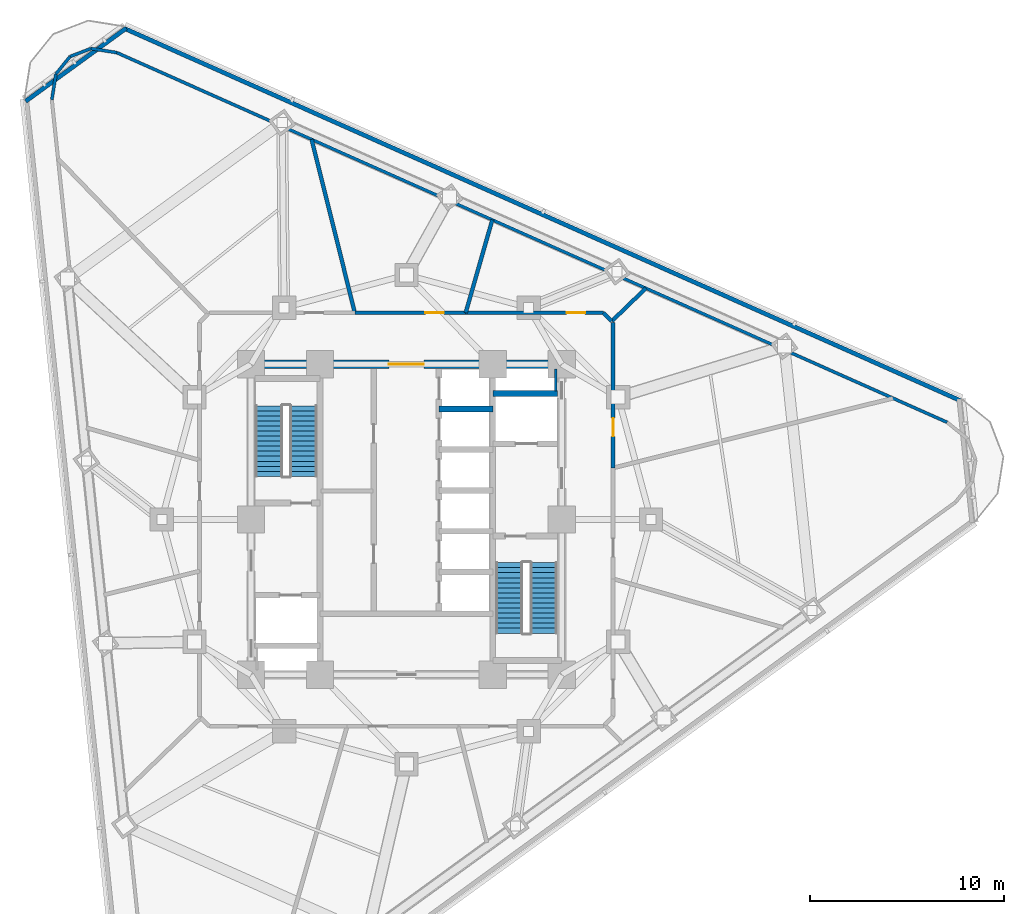
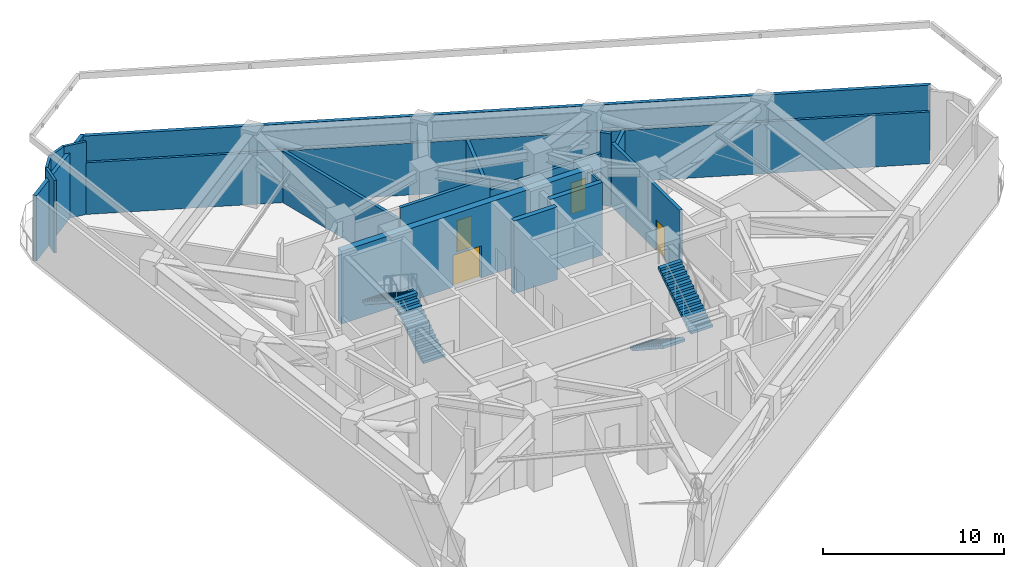
# One storey, part 5 of 10: 18 walls, 4 doors, 4 stair flights, 4 openings, 2 elements without a shape of their own.
"""IFC4 building model written with IfcOpenShell, lengths in metres."""

from ifc_helpers import new_model, si_unit, direction, frame, frame_2d, origin, place, context, subcontext, project, spatial, polyline, rectangle, outline, extrude, material, layer, layer_set, type_object, element, fill, aggregate, save


model = new_model("IFC4")

# Units and contexts
model_context = context("Model", 3, precision=1e-05, world=origin(), true_north=direction((0.0, 1.0)))
body_context = subcontext(model_context, "Body", "Model", "MODEL_VIEW")
ifc_project = project(units=[si_unit("LENGTHUNIT", "METRE"), si_unit("AREAUNIT", "SQUARE_METRE"), si_unit("VOLUMEUNIT", "CUBIC_METRE"), si_unit("PLANEANGLEUNIT", "RADIAN"), si_unit("MASSUNIT", "GRAM", prefix="KILO")], contexts=[model_context])

# Site, building, storey
site_placement = place(None, origin())
site = spatial("IfcSite", under=ifc_project, at=site_placement, CompositionType="ELEMENT")
building_placement = place(site_placement, origin())
building = spatial("IfcBuilding", under=site, at=building_placement, Name="Terralouvre Media Tower", CompositionType="ELEMENT")
storey_placement = place(building_placement, frame((0.0, 0.0, 149.5)))
storey = spatial("IfcBuildingStorey", under=building, at=storey_placement, Name="L38", CompositionType="ELEMENT", Elevation=149.5)

# Walls
ifc_material_1 = material(Name="Concrete C50/60", Category="concrete")
ifc_layer_1 = layer(ifc_material_1, 0.300048828125, Name="Core Internal Shaft Wall CW-300")
ifc_layer_set_1 = layer_set([ifc_layer_1], Name="Concrete C50/60")
wall_type_1 = type_object("IfcWallType", Name="Core Internal Shaft Wall CW-300", PredefinedType="SHEAR", material=ifc_layer_set_1)
wall_1_placement = place(storey_placement, frame((4.449951171875, 6.5, 0.0), z_axis=(0.0, 0.0, 1.0), x_axis=(1.0, 0.0, 0.0)))
element("IfcWall", 1, at=wall_1_placement, inside=storey, type_object=wall_type_1, Name="L38 Core Shaft Wall FF2N", PredefinedType="SHEAR", context=body_context, shape_type="SweptSolid", body=[
    extrude(rectangle(XDim=3.340087890625, YDim=0.300048828125, at=frame_2d((1.669921875, 0.0))), origin(), (0.0, 0.0, 1.0), 4.89990234375),
])
wall_2_placement = place(storey_placement, frame((1.679931640625, 5.699951171875, 0.0), z_axis=(0.0, 0.0, 1.0), x_axis=(1.0, 0.0, 0.0)))
element("IfcWall", 2, at=wall_2_placement, inside=storey, type_object=wall_type_1, Name="L38 Core Shaft Wall PLMD2", PredefinedType="SHEAR", context=body_context, shape_type="SweptSolid", body=[
    extrude(rectangle(XDim=2.77001953125, YDim=0.300048828125, at=frame_2d((1.385009765625, 0.0))), origin(), (0.0, 0.0, 1.0), 4.89990234375),
])

# Wall, opening, door
ifc_material_2 = material(Name="Concrete C60/75", Category="concrete")
ifc_layer_2 = layer(ifc_material_2, 0.419921875, Name="Core Reinforced Concrete Shear Wall CW-420")
ifc_layer_set_2 = layer_set([ifc_layer_2], Name="Concrete C60/75")
wall_type_2 = type_object("IfcWallType", Name="Core Reinforced Concrete Shear Wall CW-420", PredefinedType="SHEAR", material=ifc_layer_set_2)
wall_3_placement = place(storey_placement, frame((-8.0, 8.0, 0.0), z_axis=(0.0, 0.0, 1.0), x_axis=(1.0, 0.0, 0.0)))
wall_3 = element("IfcWall", 3, at=wall_3_placement, inside=storey, type_object=wall_type_2, Name="L38 N Core Shear Wall", PredefinedType="SHEAR", context=body_context, shape_type="SweptSolid", body=[
    extrude(rectangle(XDim=16.0, YDim=0.419921875, at=frame_2d((8.0, 0.0))), origin(), (0.0, 0.0, 1.0), 4.89990234375),
])
opening_1_placement = place(wall_3_placement, frame((7.10009765625, 0.0, 0.0)))
opening_1 = element("IfcOpeningElement", 4, at=opening_1_placement, cuts=wall_3, Name="Opening FD-03", PredefinedType="OPENING", context=body_context, shape_type="SweptSolid", body=[
    extrude(rectangle(XDim=1.800048828125, YDim=2.14990234375, at=frame_2d((0.89990234375, 1.074951171875))), frame((0.0, 0.219970703125, 0.0), z_axis=(0.0, -1.0, 0.0), x_axis=(1.0, 0.0, 0.0)), (0.0, 0.0, 1.0), 0.43994140625),
])
ifc_material_3 = material(Name="Galvanised steel fire-resisting leaf", Category="steel")
door_type_1 = type_object("IfcDoorType", Name="Corridor Smoke-Control Double Door FD-03", OperationType="DOUBLE_DOOR_SINGLE_SWING", PredefinedType="DOOR", material=ifc_material_3)
door_1_placement = place(opening_1_placement, origin())
door_1 = element("IfcDoor", 5, at=door_1_placement, inside=storey, type_object=door_type_1, Name="L38 Central Lift Lobby Portal Door", OperationType="DOUBLE_DOOR_SINGLE_SWING", OverallHeight=2.14990234375, OverallWidth=1.800048828125, PredefinedType="DOOR", context=body_context, shape_type="SweptSolid", body=[
    extrude(rectangle(XDim=1.800048828125, YDim=2.14990234375, at=frame_2d((0.89990234375, 1.074951171875))), frame((0.0, 0.02490234375, 0.0), z_axis=(0.0, -1.0, 0.0), x_axis=(1.0, 0.0, 0.0)), (0.0, 0.0, 1.0), 0.050048828125),
])
fill(opening_1, door_1)

# Walls
ifc_material_4 = material(Name="Fire-rated gypsum board drywall partition")
ifc_layer_3 = layer(ifc_material_4, 0.199951171875, Name="Fire-Rated Shaft and Lobby Partition FW-200")
ifc_layer_set_3 = layer_set([ifc_layer_3], Name="Fire-rated gypsum board drywall partition")
wall_type_3 = type_object("IfcWallType", Name="Fire-Rated Shaft and Lobby Partition FW-200", PredefinedType="SOLIDWALL", material=ifc_layer_set_3)
wall_4_placement = place(storey_placement, frame((-18.265625, 21.622314453125, 0.0), z_axis=(0.0, 0.0, 1.0), x_axis=(0.156343984174, 0.987702667108, 0.0)))
element("IfcWall", 6, at=wall_4_placement, inside=storey, type_object=wall_type_3, Name="L38 Belt-Truss Acoustic Plenum Liner Wall 02", PredefinedType="SOLIDWALL", context=body_context, shape_type="SweptSolid", body=[
    extrude(rectangle(XDim=1.34765625, YDim=0.159912109375, at=frame_2d((0.673828125, 0.0))), origin(), (0.0, 0.0, 1.0), 4.89990234375),
])
wall_5_placement = place(storey_placement, frame((-18.054931640625, 22.953369140625, 0.0), z_axis=(0.0, 0.0, 1.0), x_axis=(0.629325969448, 0.777141444126, 0.0)))
element("IfcWall", 7, at=wall_5_placement, inside=storey, type_object=wall_type_3, Name="L38 Belt-Truss Acoustic Plenum Liner Wall 03", PredefinedType="SOLIDWALL", context=body_context, shape_type="SweptSolid", body=[
    extrude(rectangle(XDim=1.154541015625, YDim=0.159912109375, at=frame_2d((0.5771484375, 0.0))), origin(), (0.0, 0.0, 1.0), 4.89990234375),
])
wall_6_placement = place(storey_placement, frame((-17.328369140625, 23.8505859375, 0.0), z_axis=(0.0, 0.0, 1.0), x_axis=(0.93360702064, 0.35829866175, 0.0)))
element("IfcWall", 8, at=wall_6_placement, inside=storey, type_object=wall_type_3, Name="L38 Belt-Truss Acoustic Plenum Liner Wall 04", PredefinedType="SOLIDWALL", context=body_context, shape_type="SweptSolid", body=[
    extrude(rectangle(XDim=1.154296875, YDim=0.159912109375, at=frame_2d((0.5771484375, 0.0))), origin(), (0.0, 0.0, 1.0), 4.89990234375),
])
wall_7_placement = place(storey_placement, frame((-16.250732421875, 24.26416015625, 0.0), z_axis=(0.0, 0.0, 1.0), x_axis=(0.987679113551, -0.156492711188, 0.0)))
element("IfcWall", 9, at=wall_7_placement, inside=storey, type_object=wall_type_3, Name="L38 Belt-Truss Acoustic Plenum Liner Wall 05", PredefinedType="SOLIDWALL", context=body_context, shape_type="SweptSolid", body=[
    extrude(rectangle(XDim=1.347900390625, YDim=0.159912109375, at=frame_2d((0.673828125, 0.0))), origin(), (0.0, 0.0, 1.0), 4.89990234375),
])
wall_8_placement = place(storey_placement, frame((-14.91943359375, 24.05322265625, 0.0), z_axis=(0.0, 0.0, 1.0), x_axis=(0.913544749662, -0.406738233223, 0.0)))
element("IfcWall", 10, at=wall_8_placement, inside=storey, type_object=wall_type_3, Name="L38 Belt-Truss Acoustic Plenum Liner Wall 06", PredefinedType="SOLIDWALL", context=body_context, shape_type="SweptSolid", body=[
    extrude(rectangle(XDim=46.825927734375, YDim=0.159912109375, at=frame_2d((23.4130859375, 0.0))), origin(), (0.0, 0.0, 1.0), 3.485107421875),
])

# Wall, opening, door
wall_9_placement = place(storey_placement, frame((10.64990234375, 2.655029296875, 0.0), z_axis=(0.0, 0.0, 1.0), x_axis=(0.0, 1.0, 0.0)))
wall_9 = element("IfcWall", 11, at=wall_9_placement, inside=storey, type_object=wall_type_3, Name="L38 Interior Partition 009", PredefinedType="SOLIDWALL", context=body_context, shape_type="SweptSolid", body=[
    extrude(rectangle(XDim=7.494873046875, YDim=0.199951171875, at=frame_2d((3.74755859375, 0.0))), origin(), (0.0, 0.0, 1.0), 4.284912109375),
])
opening_2_placement = place(wall_9_placement, frame((1.62353515625, 0.0, 0.0)))
opening_2 = element("IfcOpeningElement", 12, at=opening_2_placement, cuts=wall_9, Name="Opening FD-02-95X210", PredefinedType="OPENING", context=body_context, shape_type="SweptSolid", body=[
    extrude(rectangle(XDim=0.949951171875, YDim=2.10009765625, at=frame_2d((0.47509765625, 1.050048828125))), frame((0.0, 0.10986328125, 0.0), z_axis=(0.0, -1.0, 0.0), x_axis=(1.0, 0.0, 0.0)), (0.0, 0.0, 1.0), 0.219970703125),
])
ifc_material_5 = material(Name="Galvanised steel fire-resisting leaf", Category="steel")
door_type_2 = type_object("IfcDoorType", Name="Plant and Riser Fire Door FD-02 (950x2100)", OperationType="NOTDEFINED", PredefinedType="DOOR", material=ifc_material_5)
door_2_placement = place(opening_2_placement, origin())
door_2 = element("IfcDoor", 13, at=door_2_placement, inside=storey, type_object=door_type_2, Name="L38 Designated Pressurised Refuge Holding Area East Door", OperationType="SINGLE_SWING_RIGHT", OverallHeight=2.10009765625, OverallWidth=0.949951171875, PredefinedType="DOOR", context=body_context, shape_type="SweptSolid", body=[
    extrude(rectangle(XDim=0.949951171875, YDim=2.10009765625, at=frame_2d((0.47509765625, 1.050048828125))), frame((0.0, 0.02490234375, 0.0), z_axis=(0.0, -1.0, 0.0), x_axis=(1.0, 0.0, 0.0)), (0.0, 0.0, 1.0), 0.050048828125),
])
fill(opening_2, door_2)

# Wall
wall_10_placement = place(storey_placement, frame((10.58203125, 10.218017578125, 0.0), z_axis=(0.0, 0.0, 1.0), x_axis=(-0.70730655707, 0.706906948845, 0.0)))
element("IfcWall", 14, at=wall_10_placement, inside=storey, type_object=wall_type_3, Name="L38 Interior Partition 010", PredefinedType="SOLIDWALL", context=body_context, shape_type="SweptSolid", body=[
    extrude(rectangle(XDim=0.61083984375, YDim=0.199951171875, at=frame_2d((0.305419921875, 0.0))), origin(), (0.0, 0.0, 1.0), 4.89990234375),
])

# Wall, opening, door
wall_11_placement = place(storey_placement, frame((10.14990234375, 10.64990234375, 0.0), z_axis=(0.0, 0.0, 1.0), x_axis=(-1.0, 0.0, 0.0)))
wall_11 = element("IfcWall", 15, at=wall_11_placement, inside=storey, type_object=wall_type_3, Name="L38 Interior Partition 011", PredefinedType="SOLIDWALL", context=body_context, shape_type="SweptSolid", body=[
    extrude(rectangle(XDim=7.095947265625, YDim=0.199951171875, at=frame_2d((3.5478515625, 0.0))), origin(), (0.0, 0.0, 1.0), 3.485107421875),
])
opening_3_placement = place(wall_11_placement, frame((0.944091796875, 0.0, 0.0)))
opening_3 = element("IfcOpeningElement", 16, at=opening_3_placement, cuts=wall_11, Name="Opening FD-02-95X210", PredefinedType="OPENING", context=body_context, shape_type="SweptSolid", body=[
    extrude(rectangle(XDim=0.949951171875, YDim=2.10009765625, at=frame_2d((0.47509765625, 1.050048828125))), frame((0.0, 0.10986328125, 0.0), z_axis=(0.0, -1.0, 0.0), x_axis=(1.0, 0.0, 0.0)), (0.0, 0.0, 1.0), 0.219970703125),
])
door_3_placement = place(opening_3_placement, origin())
door_3 = element("IfcDoor", 17, at=door_3_placement, inside=storey, type_object=door_type_2, Name="L38 Sprinkler Reserve Tank and Pump Plant Room Door", OperationType="SINGLE_SWING_LEFT", OverallHeight=2.10009765625, OverallWidth=0.949951171875, PredefinedType="DOOR", context=body_context, shape_type="SweptSolid", body=[
    extrude(rectangle(XDim=0.949951171875, YDim=2.10009765625, at=frame_2d((0.47509765625, 1.050048828125))), frame((0.0, 0.02490234375, 0.0), z_axis=(0.0, -1.0, 0.0), x_axis=(1.0, 0.0, 0.0)), (0.0, 0.0, 1.0), 0.050048828125),
])
fill(opening_3, door_3)

wall_12_placement = place(storey_placement, frame((3.053955078125, 10.64990234375, 0.0), z_axis=(0.0, 0.0, 1.0), x_axis=(-1.0, 0.0, 0.0)))
wall_12 = element("IfcWall", 18, at=wall_12_placement, inside=storey, type_object=wall_type_3, Name="L38 Interior Partition 012", PredefinedType="SOLIDWALL", context=body_context, shape_type="SweptSolid", body=[
    extrude(rectangle(XDim=5.708984375, YDim=0.199951171875, at=frame_2d((2.8544921875, 0.0))), origin(), (0.0, 0.0, 1.0), 4.284912109375),
])
opening_4_placement = place(wall_12_placement, frame((1.12353515625, 0.0, 0.0)))
opening_4 = element("IfcOpeningElement", 19, at=opening_4_placement, cuts=wall_12, Name="Opening FD-02-95X210", PredefinedType="OPENING", context=body_context, shape_type="SweptSolid", body=[
    extrude(rectangle(XDim=0.949951171875, YDim=2.10009765625, at=frame_2d((0.47509765625, 1.050048828125))), frame((0.0, 0.10986328125, 0.0), z_axis=(0.0, -1.0, 0.0), x_axis=(1.0, 0.0, 0.0)), (0.0, 0.0, 1.0), 0.219970703125),
])
door_4_placement = place(opening_4_placement, origin())
door_4 = element("IfcDoor", 20, at=door_4_placement, inside=storey, type_object=door_type_2, Name="L38 BMS and Telecom Mechanical Control Plant Room Door", OperationType="SINGLE_SWING_RIGHT", OverallHeight=2.10009765625, OverallWidth=0.949951171875, PredefinedType="DOOR", context=body_context, shape_type="SweptSolid", body=[
    extrude(rectangle(XDim=0.949951171875, YDim=2.10009765625, at=frame_2d((0.47509765625, 1.050048828125))), frame((0.0, 0.02490234375, 0.0), z_axis=(0.0, -1.0, 0.0), x_axis=(1.0, 0.0, 0.0)), (0.0, 0.0, 1.0), 0.050048828125),
])
fill(opening_4, door_4)

# Walls
wall_13_placement = place(storey_placement, frame((12.340087890625, 11.9169921875, 0.0), z_axis=(0.0, 0.0, 1.0), x_axis=(-0.719086507416, -0.694920567297, 0.0)))
element("IfcWall", 21, at=wall_13_placement, inside=storey, type_object=wall_type_3, Name="L38 Interior Partition 024", PredefinedType="SOLIDWALL", context=body_context, shape_type="SweptSolid", body=[
    extrude(rectangle(XDim=2.44482421875, YDim=0.199951171875, at=frame_2d((1.222412109375, 0.0))), origin(), (0.0, 0.0, 1.0), 3.485107421875),
])
wall_14_placement = place(storey_placement, frame((4.427001953125, 15.43994140625, 0.0), z_axis=(0.0, 0.0, 1.0), x_axis=(-0.275549323133, -0.961286934542, 0.0)))
element("IfcWall", 22, at=wall_14_placement, inside=storey, type_object=wall_type_3, Name="L38 Interior Partition 025", PredefinedType="SOLIDWALL", context=body_context, shape_type="SweptSolid", body=[
    extrude(rectangle(XDim=4.98291015625, YDim=0.199951171875, at=frame_2d((2.491455078125, 0.0))), origin(), (0.0, 0.0, 1.0), 3.485107421875),
])
wall_15_placement = place(storey_placement, frame((-4.883056640625, 19.5849609375, 0.0), z_axis=(0.0, 0.0, 1.0), x_axis=(0.241949196016, -0.97028891911, 0.0)))
element("IfcWall", 23, at=wall_15_placement, inside=storey, type_object=wall_type_3, Name="L38 Interior Partition 026", PredefinedType="SOLIDWALL", context=body_context, shape_type="SweptSolid", body=[
    extrude(rectangle(XDim=9.208740234375, YDim=0.199951171875, at=frame_2d((4.6044921875, 0.0))), origin(), (0.0, 0.0, 1.0), 3.485107421875),
])
ifc_material_6 = material(Name="Fire-rated gypsum board drywall partition")
ifc_layer_4 = layer(ifc_material_6, 0.1201171875, Name="Low Technical Plinth Furring Wall PT-PL120")
ifc_layer_set_4 = layer_set([ifc_layer_4], Name="Fire-rated gypsum board drywall partition")
wall_type_4 = type_object("IfcWallType", Name="Low Technical Plinth Furring Wall PT-PL120", PredefinedType="PLUMBINGWALL", material=ifc_layer_set_4)
wall_16_placement = place(storey_placement, frame((7.699951171875, 6.6201171875, 0.0), z_axis=(0.0, 0.0, 1.0), x_axis=(0.0, 1.0, 0.0)))
element("IfcWall", 24, at=wall_16_placement, inside=storey, type_object=wall_type_4, Name="L38 Wet Riser Plumbing Furring Wall 2", PredefinedType="PLUMBINGWALL", context=body_context, shape_type="SweptSolid", body=[
    extrude(rectangle(XDim=1.1298828125, YDim=0.1201171875, at=frame_2d((0.56494140625, 0.0))), origin(), (0.0, 0.0, 1.0), 4.89990234375),
])
ifc_material_7 = material(Name="Kiln-fired architectural terracotta rainscreen cladding", Category="masonry")
ifc_layer_5 = layer(ifc_material_7, 0.260009765625, Name="Recessed Sky-Garden Acoustic Wall EW-SG260")
ifc_layer_set_5 = layer_set([ifc_layer_5], Name="Kiln-fired architectural terracotta rainscreen cladding")
wall_type_5 = type_object("IfcWallType", Name="Recessed Sky-Garden Acoustic Wall EW-SG260", PredefinedType="SOLIDWALL", material=ifc_layer_set_5)
wall_17_placement = place(storey_placement, frame((28.557861328125, 6.118896484375, 0.0), z_axis=(0.0, 0.0, 1.0), x_axis=(-0.913545370604, 0.406736838568, 0.0)))
element("IfcWall", 25, at=wall_17_placement, inside=storey, type_object=wall_type_5, Name="L38 Facade Curtain Wall F1 Acoustic Plant Plinth Wall", PredefinedType="SOLIDWALL", context=body_context, shape_type="SweptSolid", body=[
    extrude(rectangle(XDim=47.199951171875, YDim=0.219970703125, at=frame_2d((23.60009765625, 0.0))), origin(), (0.0, 0.0, 1.0), 4.39990234375),
])
wall_18_placement = place(storey_placement, frame((-14.430419921875, 25.313232421875, 0.0), z_axis=(0.0, 0.0, 1.0), x_axis=(-0.809027567575, -0.587770699256, 0.0)))
element("IfcWall", 26, at=wall_18_placement, inside=storey, type_object=wall_type_5, Name="L38 Rounded Wind-Corner Curtain Wall C2 Acoustic Plant Plinth Wall", PredefinedType="SOLIDWALL", context=body_context, shape_type="SweptSolid", body=[
    extrude(rectangle(XDim=6.40869140625, YDim=0.219970703125, at=frame_2d((3.204345703125, 0.0))), origin(), (0.0, 0.0, 1.0), 4.39990234375),
])

# Stair, stair flights
ifc_material_8 = material(Name="Concrete C45/55", Category="concrete")
stair_type_1 = type_object("IfcStairType", Name="Dogleg Stair Assembly ST-01", PredefinedType="HALF_TURN_STAIR", material=ifc_material_8)
stair_1_placement = place(storey_placement, origin())
stair_1 = element("IfcStair", 27, at=stair_1_placement, inside=storey, type_object=stair_type_1, Name="L38 Core Pressurised Exit Stair ST-01", PredefinedType="HALF_TURN_STAIR")
ifc_material_9 = material(Name="Concrete C45/55", Category="concrete")
stair_flight_type = type_object("IfcStairFlightType", Name="Reinforced Concrete Stair Flight SF-RC1", PredefinedType="STRAIGHT", material=ifc_material_9)
stair_flight_1_placement = place(storey_placement, frame((-5.300048828125, 2.219970703125, 0.0), z_axis=(0.0, 0.0, 1.0), x_axis=(0.0, 1.0, 0.0)))
stair_flight_1 = element("IfcStairFlight", 28, at=stair_flight_1_placement, type_object=stair_flight_type, Name="ST-01 flight 1", NumberOfRisers=15, NumberOfTreads=14, PredefinedType="STRAIGHT", RiserHeight=0.17, TreadLength=0.26, context=body_context, shape_type="SweptSolid", body=[
    extrude(outline(polyline([(0.0, 0.0), (0.0, 0.169921875), (0.260009765625, 0.169921875), (0.260009765625, 0.340087890625), (0.52001953125, 0.340087890625), (0.52001953125, 0.510009765625), (0.780029296875, 0.510009765625), (0.780029296875, 0.679931640625), (1.0400390625, 0.679931640625), (1.0400390625, 0.85009765625), (1.300048828125, 0.85009765625), (1.300048828125, 1.02001953125), (1.56005859375, 1.02001953125), (1.56005859375, 1.18994140625), (1.820068359375, 1.18994140625), (1.820068359375, 1.360107421875), (2.080078125, 1.360107421875), (2.080078125, 1.530029296875), (2.340087890625, 1.530029296875), (2.340087890625, 1.699951171875), (2.60009765625, 1.699951171875), (2.60009765625, 1.8701171875), (2.860107421875, 1.8701171875), (2.860107421875, 2.0400390625), (3.1201171875, 2.0400390625), (3.1201171875, 2.2099609375), (3.3798828125, 2.2099609375), (3.3798828125, 2.3798828125), (3.639892578125, 2.3798828125), (3.639892578125, 2.550048828125), (3.639892578125, 2.200927734375), (0.27392578125, 0.0), (0.0, 0.0)])), frame((0.0, 0.699951171875, 0.0), z_axis=(0.0, -1.0, 0.0), x_axis=(1.0, 0.0, 0.0)), (0.0, 0.0, 1.0), 1.39990234375),
])
stair_flight_2_placement = place(storey_placement, frame((-7.080078125, 5.860107421875, 2.550048828125), z_axis=(0.0, 0.0, 1.0), x_axis=(0.0, -1.0, 0.0)))
stair_flight_2 = element("IfcStairFlight", 29, at=stair_flight_2_placement, type_object=stair_flight_type, Name="ST-01 flight 2", NumberOfRisers=15, NumberOfTreads=14, PredefinedType="STRAIGHT", RiserHeight=0.17, TreadLength=0.26, context=body_context, shape_type="SweptSolid", body=[
    extrude(outline(polyline([(0.0, 0.0), (0.0, 0.169921875), (0.260009765625, 0.169921875), (0.260009765625, 0.340087890625), (0.52001953125, 0.340087890625), (0.52001953125, 0.510009765625), (0.780029296875, 0.510009765625), (0.780029296875, 0.679931640625), (1.0400390625, 0.679931640625), (1.0400390625, 0.85009765625), (1.300048828125, 0.85009765625), (1.300048828125, 1.02001953125), (1.56005859375, 1.02001953125), (1.56005859375, 1.18994140625), (1.820068359375, 1.18994140625), (1.820068359375, 1.360107421875), (2.080078125, 1.360107421875), (2.080078125, 1.530029296875), (2.340087890625, 1.530029296875), (2.340087890625, 1.699951171875), (2.60009765625, 1.699951171875), (2.60009765625, 1.8701171875), (2.860107421875, 1.8701171875), (2.860107421875, 2.0400390625), (3.1201171875, 2.0400390625), (3.1201171875, 2.2099609375), (3.3798828125, 2.2099609375), (3.3798828125, 2.3798828125), (3.639892578125, 2.3798828125), (3.639892578125, 2.550048828125), (3.639892578125, 2.200927734375), (0.27392578125, 0.0), (0.0, 0.0)])), frame((0.0, 0.699951171875, 0.0), z_axis=(0.0, -1.0, 0.0), x_axis=(1.0, 0.0, 0.0)), (0.0, 0.0, 1.0), 1.39990234375),
])
aggregate(stair_1, [stair_flight_1, stair_flight_2])

ifc_material_10 = material(Name="Concrete C45/55", Category="concrete")
stair_type_2 = type_object("IfcStairType", Name="Dogleg Stair Assembly ST-02", PredefinedType="HALF_TURN_STAIR", material=ifc_material_10)
stair_2_placement = place(storey_placement, origin())
stair_2 = element("IfcStair", 30, at=stair_2_placement, inside=storey, type_object=stair_type_2, Name="L38 Core Pressurised Exit Stair ST-02", PredefinedType="HALF_TURN_STAIR")
stair_flight_3_placement = place(storey_placement, frame((5.300048828125, -2.219970703125, 0.0), z_axis=(0.0, 0.0, 1.0), x_axis=(0.0, -1.0, 0.0)))
stair_flight_3 = element("IfcStairFlight", 31, at=stair_flight_3_placement, type_object=stair_flight_type, Name="ST-02 flight 1", NumberOfRisers=15, NumberOfTreads=14, PredefinedType="STRAIGHT", RiserHeight=0.17, TreadLength=0.26, context=body_context, shape_type="SweptSolid", body=[
    extrude(outline(polyline([(0.0, 0.0), (0.0, 0.169921875), (0.260009765625, 0.169921875), (0.260009765625, 0.340087890625), (0.52001953125, 0.340087890625), (0.52001953125, 0.510009765625), (0.780029296875, 0.510009765625), (0.780029296875, 0.679931640625), (1.0400390625, 0.679931640625), (1.0400390625, 0.85009765625), (1.300048828125, 0.85009765625), (1.300048828125, 1.02001953125), (1.56005859375, 1.02001953125), (1.56005859375, 1.18994140625), (1.820068359375, 1.18994140625), (1.820068359375, 1.360107421875), (2.080078125, 1.360107421875), (2.080078125, 1.530029296875), (2.340087890625, 1.530029296875), (2.340087890625, 1.699951171875), (2.60009765625, 1.699951171875), (2.60009765625, 1.8701171875), (2.860107421875, 1.8701171875), (2.860107421875, 2.0400390625), (3.1201171875, 2.0400390625), (3.1201171875, 2.2099609375), (3.3798828125, 2.2099609375), (3.3798828125, 2.3798828125), (3.639892578125, 2.3798828125), (3.639892578125, 2.550048828125), (3.639892578125, 2.200927734375), (0.27392578125, 0.0), (0.0, 0.0)])), frame((0.0, 0.699951171875, 0.0), z_axis=(0.0, -1.0, 0.0), x_axis=(1.0, 0.0, 0.0)), (0.0, 0.0, 1.0), 1.39990234375),
])
stair_flight_4_placement = place(storey_placement, frame((7.080078125, -5.860107421875, 2.550048828125), z_axis=(0.0, 0.0, 1.0), x_axis=(0.0, 1.0, 0.0)))
stair_flight_4 = element("IfcStairFlight", 32, at=stair_flight_4_placement, type_object=stair_flight_type, Name="ST-02 flight 2", NumberOfRisers=15, NumberOfTreads=14, PredefinedType="STRAIGHT", RiserHeight=0.17, TreadLength=0.26, context=body_context, shape_type="SweptSolid", body=[
    extrude(outline(polyline([(0.0, 0.0), (0.0, 0.169921875), (0.260009765625, 0.169921875), (0.260009765625, 0.340087890625), (0.52001953125, 0.340087890625), (0.52001953125, 0.510009765625), (0.780029296875, 0.510009765625), (0.780029296875, 0.679931640625), (1.0400390625, 0.679931640625), (1.0400390625, 0.85009765625), (1.300048828125, 0.85009765625), (1.300048828125, 1.02001953125), (1.56005859375, 1.02001953125), (1.56005859375, 1.18994140625), (1.820068359375, 1.18994140625), (1.820068359375, 1.360107421875), (2.080078125, 1.360107421875), (2.080078125, 1.530029296875), (2.340087890625, 1.530029296875), (2.340087890625, 1.699951171875), (2.60009765625, 1.699951171875), (2.60009765625, 1.8701171875), (2.860107421875, 1.8701171875), (2.860107421875, 2.0400390625), (3.1201171875, 2.0400390625), (3.1201171875, 2.2099609375), (3.3798828125, 2.2099609375), (3.3798828125, 2.3798828125), (3.639892578125, 2.3798828125), (3.639892578125, 2.550048828125), (3.639892578125, 2.200927734375), (0.27392578125, 0.0), (0.0, 0.0)])), frame((0.0, 0.699951171875, 0.0), z_axis=(0.0, -1.0, 0.0), x_axis=(1.0, 0.0, 0.0)), (0.0, 0.0, 1.0), 1.39990234375),
])
aggregate(stair_2, [stair_flight_3, stair_flight_4])

save(model, "model.ifc")
